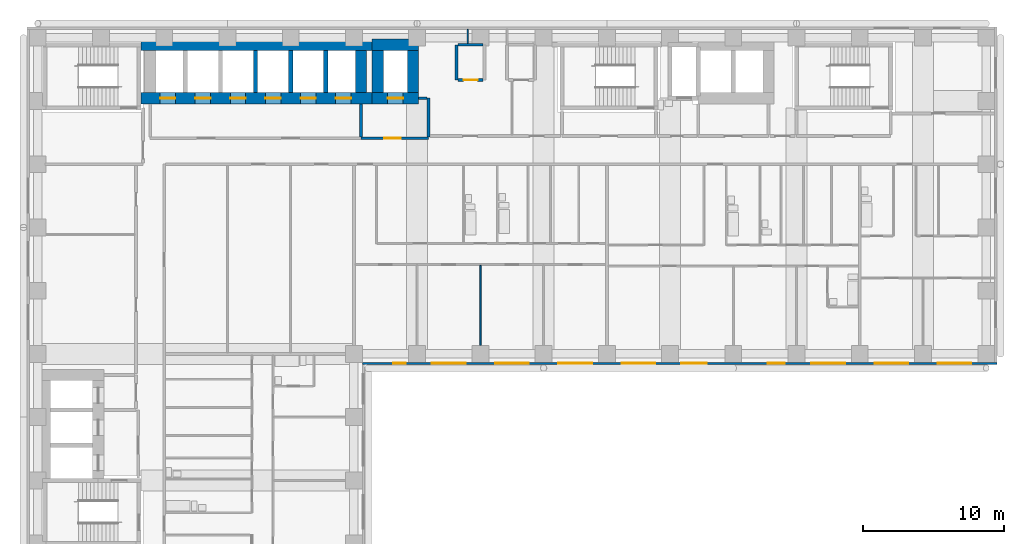
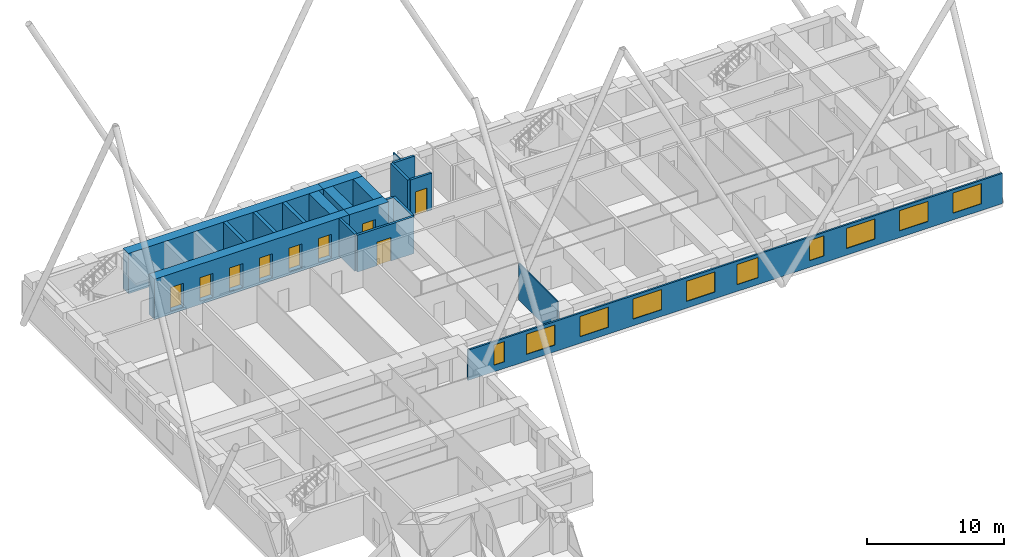
# One storey, part 6 of 12: 20 walls, 10 windows, 9 doors, 19 openings.
"""IFC4 building model written with IfcOpenShell, lengths in metres."""

from ifc_helpers import new_model, si_unit, direction, frame, frame_2d, origin, place, context, subcontext, project, spatial, rectangle, extrude, material, layer, layer_set, type_object, element, fill, save


model = new_model("IFC4")

# Units and contexts
model_context = context("Model", 3, precision=1e-05, world=origin(), true_north=direction((0.0, 1.0)))
body_context = subcontext(model_context, "Body", "Model", "MODEL_VIEW")
ifc_project = project(units=[si_unit("LENGTHUNIT", "METRE"), si_unit("AREAUNIT", "SQUARE_METRE"), si_unit("VOLUMEUNIT", "CUBIC_METRE"), si_unit("PLANEANGLEUNIT", "RADIAN"), si_unit("MASSUNIT", "GRAM", prefix="KILO")], contexts=[model_context])

# Site, building, storey
site_placement = place(None, origin())
site = spatial("IfcSite", under=ifc_project, at=site_placement, CompositionType="ELEMENT")
building_placement = place(site_placement, origin())
building = spatial("IfcBuilding", under=site, at=building_placement, Name="Firuza Court", CompositionType="ELEMENT")
storey_placement = place(building_placement, frame((0.0, 0.0, 93.800048828125)))
storey = spatial("IfcBuildingStorey", under=building, at=storey_placement, Name="L23", CompositionType="ELEMENT", Elevation=93.800048828125)

# Walls
ifc_material_1 = material(Name="Concrete C60/75", Category="concrete")
ifc_layer_1 = layer(ifc_material_1, 0.300048828125)
ifc_layer_set_1 = layer_set([ifc_layer_1], Name="Concrete C60/75")
wall_type_1 = type_object("IfcWallType", Name="Core wall 300 C60/75", PredefinedType="SHEAR", material=ifc_layer_set_1)
for number, where, z_axis, x_axis, name in (
    (1, (15.5, 54.60009765625, -0.300048828125), (0.0, 0.0, 1.0), (0.0, 1.0, 0.0), "Core wall lift shaft L23"),
    (2, (18.0, 54.60009765625, -0.300048828125), (0.0, 0.0, 1.0), (0.0, 1.0, 0.0), "Core wall lift shaft L23"),
    (3, (20.5, 54.60009765625, -0.300048828125), (0.0, 0.0, 1.0), (0.0, 1.0, 0.0), "Core wall lift shaft L23"),
):
    element("IfcWall", number, at=place(storey_placement, frame(where, z_axis=z_axis, x_axis=x_axis)), inside=storey, type_object=wall_type_1, Name=name, PredefinedType="SHEAR", context=body_context, shape_type="SweptSolid", body=[
        extrude(rectangle(XDim=3.0, YDim=0.300048828125, at=frame_2d((1.5, 0.0))), origin(), (0.0, 0.0, 1.0), 3.60009765625),
    ])

# Wall, openings, doors
ifc_layer_2 = layer(ifc_material_1, 0.800048828125)
ifc_layer_set_2 = layer_set([ifc_layer_2], Name="Concrete C60/75")
wall_type_2 = type_object("IfcWallType", Name="Core wall 800 C60/75", PredefinedType="SHEAR", material=ifc_layer_set_2)
wall_1_placement = place(storey_placement, frame((7.35009765625, 54.199951171875, -0.300048828125), z_axis=(0.0, 0.0, 1.0), x_axis=(1.0, 0.0, 0.0)))
wall_1 = element("IfcWall", 4, at=wall_1_placement, inside=storey, type_object=wall_type_2, Name="Core wall lift shaft L23", PredefinedType="SHEAR", context=body_context, shape_type="SweptSolid", body=[
    extrude(rectangle(XDim=16.449951171875, YDim=0.800048828125, at=frame_2d((8.22509765625, 0.0))), origin(), (0.0, 0.0, 1.0), 3.60009765625),
])
opening_1_placement = place(wall_1_placement, frame((1.35009765625, 0.0, 0.300048828125)))
opening_1 = element("IfcOpeningElement", 5, at=opening_1_placement, cuts=wall_1, Name="Opening LD-LB1-23", PredefinedType="OPENING", context=body_context, shape_type="SweptSolid", body=[
    extrude(rectangle(XDim=1.10009765625, YDim=2.10009765625, at=frame_2d((0.550048828125, 1.050048828125))), frame((0.0, 0.412109375, 0.0), z_axis=(0.0, -1.0, 0.0), x_axis=(1.0, 0.0, 0.0)), (0.0, 0.0, 1.0), 0.823974609375),
])
opening_2_placement = place(wall_1_placement, frame((3.85009765625, 0.0, 0.300048828125)))
opening_2 = element("IfcOpeningElement", 6, at=opening_2_placement, cuts=wall_1, Name="Opening LD-LB2-23", PredefinedType="OPENING", context=body_context, shape_type="SweptSolid", body=[
    extrude(rectangle(XDim=1.10009765625, YDim=2.10009765625, at=frame_2d((0.550048828125, 1.050048828125))), frame((0.0, 0.412109375, 0.0), z_axis=(0.0, -1.0, 0.0), x_axis=(1.0, 0.0, 0.0)), (0.0, 0.0, 1.0), 0.823974609375),
])
opening_3_placement = place(wall_1_placement, frame((6.35009765625, 0.0, 0.300048828125)))
opening_3 = element("IfcOpeningElement", 7, at=opening_3_placement, cuts=wall_1, Name="Opening LD-LB3-23", PredefinedType="OPENING", context=body_context, shape_type="SweptSolid", body=[
    extrude(rectangle(XDim=1.10009765625, YDim=2.10009765625, at=frame_2d((0.550048828125, 1.050048828125))), frame((0.0, 0.412109375, 0.0), z_axis=(0.0, -1.0, 0.0), x_axis=(1.0, 0.0, 0.0)), (0.0, 0.0, 1.0), 0.823974609375),
])
opening_4_placement = place(wall_1_placement, frame((8.85009765625, 0.0, 0.300048828125)))
opening_4 = element("IfcOpeningElement", 8, at=opening_4_placement, cuts=wall_1, Name="Opening LD-LB4-23", PredefinedType="OPENING", context=body_context, shape_type="SweptSolid", body=[
    extrude(rectangle(XDim=1.10009765625, YDim=2.10009765625, at=frame_2d((0.550048828125, 1.050048828125))), frame((0.0, 0.412109375, 0.0), z_axis=(0.0, -1.0, 0.0), x_axis=(1.0, 0.0, 0.0)), (0.0, 0.0, 1.0), 0.823974609375),
])
opening_5_placement = place(wall_1_placement, frame((11.35009765625, 0.0, 0.300048828125)))
opening_5 = element("IfcOpeningElement", 9, at=opening_5_placement, cuts=wall_1, Name="Opening LD-LB5-23", PredefinedType="OPENING", context=body_context, shape_type="SweptSolid", body=[
    extrude(rectangle(XDim=1.10009765625, YDim=2.10009765625, at=frame_2d((0.550048828125, 1.050048828125))), frame((0.0, 0.412109375, 0.0), z_axis=(0.0, -1.0, 0.0), x_axis=(1.0, 0.0, 0.0)), (0.0, 0.0, 1.0), 0.823974609375),
])
opening_6_placement = place(wall_1_placement, frame((13.85009765625, 0.0, 0.300048828125)))
opening_6 = element("IfcOpeningElement", 10, at=opening_6_placement, cuts=wall_1, Name="Opening LD-LB6-23", PredefinedType="OPENING", context=body_context, shape_type="SweptSolid", body=[
    extrude(rectangle(XDim=1.10009765625, YDim=2.10009765625, at=frame_2d((0.550048828125, 1.050048828125))), frame((0.0, 0.412109375, 0.0), z_axis=(0.0, -1.0, 0.0), x_axis=(1.0, 0.0, 0.0)), (0.0, 0.0, 1.0), 0.823974609375),
])
ifc_material_2 = material(Name="Stainless steel 1.4301 door leaf", Category="steel")
door_type_1 = type_object("IfcDoorType", Name="Lift landing door 1100", OperationType="SLIDING_TO_LEFT", PredefinedType="DOOR", material=ifc_material_2)
door_1_placement = place(opening_1_placement, origin())
door_1 = element("IfcDoor", 11, at=door_1_placement, inside=storey, type_object=door_type_1, Name="Landing door LB1", OperationType="SLIDING_TO_LEFT", OverallHeight=2.10009765625, OverallWidth=1.10009765625, PredefinedType="DOOR", context=body_context, shape_type="SweptSolid", body=[
    extrude(rectangle(XDim=1.10009765625, YDim=2.10009765625, at=frame_2d((0.550048828125, 1.050048828125))), frame((0.0, 0.02490234375, 0.0), z_axis=(0.0, -1.0, 0.0), x_axis=(1.0, 0.0, 0.0)), (0.0, 0.0, 1.0), 0.050048828125),
])
fill(opening_1, door_1)
door_2_placement = place(opening_2_placement, origin())
door_2 = element("IfcDoor", 12, at=door_2_placement, inside=storey, type_object=door_type_1, Name="Landing door LB2", OperationType="SLIDING_TO_LEFT", OverallHeight=2.10009765625, OverallWidth=1.10009765625, PredefinedType="DOOR", context=body_context, shape_type="SweptSolid", body=[
    extrude(rectangle(XDim=1.10009765625, YDim=2.10009765625, at=frame_2d((0.550048828125, 1.050048828125))), frame((0.0, 0.02490234375, 0.0), z_axis=(0.0, -1.0, 0.0), x_axis=(1.0, 0.0, 0.0)), (0.0, 0.0, 1.0), 0.050048828125),
])
fill(opening_2, door_2)
door_3_placement = place(opening_3_placement, origin())
door_3 = element("IfcDoor", 13, at=door_3_placement, inside=storey, type_object=door_type_1, Name="Landing door LB3", OperationType="SLIDING_TO_LEFT", OverallHeight=2.10009765625, OverallWidth=1.10009765625, PredefinedType="DOOR", context=body_context, shape_type="SweptSolid", body=[
    extrude(rectangle(XDim=1.10009765625, YDim=2.10009765625, at=frame_2d((0.550048828125, 1.050048828125))), frame((0.0, 0.02490234375, 0.0), z_axis=(0.0, -1.0, 0.0), x_axis=(1.0, 0.0, 0.0)), (0.0, 0.0, 1.0), 0.050048828125),
])
fill(opening_3, door_3)
door_4_placement = place(opening_4_placement, origin())
door_4 = element("IfcDoor", 14, at=door_4_placement, inside=storey, type_object=door_type_1, Name="Landing door LB4", OperationType="SLIDING_TO_LEFT", OverallHeight=2.10009765625, OverallWidth=1.10009765625, PredefinedType="DOOR", context=body_context, shape_type="SweptSolid", body=[
    extrude(rectangle(XDim=1.10009765625, YDim=2.10009765625, at=frame_2d((0.550048828125, 1.050048828125))), frame((0.0, 0.02490234375, 0.0), z_axis=(0.0, -1.0, 0.0), x_axis=(1.0, 0.0, 0.0)), (0.0, 0.0, 1.0), 0.050048828125),
])
fill(opening_4, door_4)
door_5_placement = place(opening_5_placement, origin())
door_5 = element("IfcDoor", 15, at=door_5_placement, inside=storey, type_object=door_type_1, Name="Landing door LB5", OperationType="SLIDING_TO_LEFT", OverallHeight=2.10009765625, OverallWidth=1.10009765625, PredefinedType="DOOR", context=body_context, shape_type="SweptSolid", body=[
    extrude(rectangle(XDim=1.10009765625, YDim=2.10009765625, at=frame_2d((0.550048828125, 1.050048828125))), frame((0.0, 0.02490234375, 0.0), z_axis=(0.0, -1.0, 0.0), x_axis=(1.0, 0.0, 0.0)), (0.0, 0.0, 1.0), 0.050048828125),
])
fill(opening_5, door_5)
door_6_placement = place(opening_6_placement, origin())
door_6 = element("IfcDoor", 16, at=door_6_placement, inside=storey, type_object=door_type_1, Name="Landing door LB6", OperationType="SLIDING_TO_LEFT", OverallHeight=2.10009765625, OverallWidth=1.10009765625, PredefinedType="DOOR", context=body_context, shape_type="SweptSolid", body=[
    extrude(rectangle(XDim=1.10009765625, YDim=2.10009765625, at=frame_2d((0.550048828125, 1.050048828125))), frame((0.0, 0.02490234375, 0.0), z_axis=(0.0, -1.0, 0.0), x_axis=(1.0, 0.0, 0.0)), (0.0, 0.0, 1.0), 0.050048828125),
])
fill(opening_6, door_6)

# Walls
wall_2_placement = place(storey_placement, frame((7.35009765625, 58.0, -0.300048828125), z_axis=(0.0, 0.0, 1.0), x_axis=(1.0, 0.0, 0.0)))
element("IfcWall", 17, at=wall_2_placement, inside=storey, type_object=wall_type_2, Name="Core wall lift shaft L23", PredefinedType="SHEAR", context=body_context, shape_type="SweptSolid", body=[
    extrude(rectangle(XDim=16.449951171875, YDim=0.800048828125, at=frame_2d((8.22509765625, 0.0))), origin(), (0.0, 0.0, 1.0), 3.60009765625),
])
wall_3_placement = place(storey_placement, frame((23.0, 54.60009765625, -0.300048828125), z_axis=(0.0, 0.0, 1.0), x_axis=(0.0, 1.0, 0.0)))
element("IfcWall", 18, at=wall_3_placement, inside=storey, type_object=wall_type_2, Name="Core wall lift shaft L23", PredefinedType="SHEAR", context=body_context, shape_type="SweptSolid", body=[
    extrude(rectangle(XDim=3.0, YDim=0.800048828125, at=frame_2d((1.5, 0.0))), origin(), (0.0, 0.0, 1.0), 3.60009765625),
])

# Wall, opening, door
wall_4_placement = place(storey_placement, frame((23.800048828125, 54.199951171875, -0.300048828125), z_axis=(0.0, 0.0, 1.0), x_axis=(1.0, 0.0, 0.0)))
wall_4 = element("IfcWall", 19, at=wall_4_placement, inside=storey, type_object=wall_type_2, Name="Core wall lift shaft L23", PredefinedType="SHEAR", context=body_context, shape_type="SweptSolid", body=[
    extrude(rectangle(XDim=3.300048828125, YDim=0.800048828125, at=frame_2d((1.64990234375, 0.0))), origin(), (0.0, 0.0, 1.0), 3.60009765625),
])
opening_7_placement = place(wall_4_placement, frame((1.10009765625, 0.0, 0.300048828125)))
opening_7 = element("IfcOpeningElement", 20, at=opening_7_placement, cuts=wall_4, Name="Opening LD-FL3-23", PredefinedType="OPENING", context=body_context, shape_type="SweptSolid", body=[
    extrude(rectangle(XDim=1.10009765625, YDim=2.10009765625, at=frame_2d((0.550048828125, 1.050048828125))), frame((0.0, 0.412109375, 0.0), z_axis=(0.0, -1.0, 0.0), x_axis=(1.0, 0.0, 0.0)), (0.0, 0.0, 1.0), 0.823974609375),
])
door_7_placement = place(opening_7_placement, origin())
door_7 = element("IfcDoor", 21, at=door_7_placement, inside=storey, type_object=door_type_1, Name="Landing door FL3", OperationType="SLIDING_TO_LEFT", OverallHeight=2.10009765625, OverallWidth=1.10009765625, PredefinedType="DOOR", context=body_context, shape_type="SweptSolid", body=[
    extrude(rectangle(XDim=1.10009765625, YDim=2.10009765625, at=frame_2d((0.550048828125, 1.050048828125))), frame((0.0, 0.02490234375, 0.0), z_axis=(0.0, -1.0, 0.0), x_axis=(1.0, 0.0, 0.0)), (0.0, 0.0, 1.0), 0.050048828125),
])
fill(opening_7, door_7)

# Walls
wall_5_placement = place(storey_placement, frame((23.800048828125, 58.0, -0.300048828125), z_axis=(0.0, 0.0, 1.0), x_axis=(1.0, 0.0, 0.0)))
element("IfcWall", 22, at=wall_5_placement, inside=storey, type_object=wall_type_2, Name="Core wall lift shaft L23", PredefinedType="SHEAR", context=body_context, shape_type="SweptSolid", body=[
    extrude(rectangle(XDim=3.300048828125, YDim=0.800048828125, at=frame_2d((1.64990234375, 0.0))), origin(), (0.0, 0.0, 1.0), 3.60009765625),
])
for number, where, z_axis, x_axis, name in (
    (23, (24.199951171875, 54.60009765625, -0.300048828125), (0.0, 0.0, 1.0), (0.0, 1.0, 0.0), "Core wall lift shaft L23"),
    (24, (26.699951171875, 54.60009765625, -0.300048828125), (0.0, 0.0, 1.0), (0.0, 1.0, 0.0), "Core wall lift shaft L23"),
):
    element("IfcWall", number, at=place(storey_placement, frame(where, z_axis=z_axis, x_axis=x_axis)), inside=storey, type_object=wall_type_2, Name=name, PredefinedType="SHEAR", context=body_context, shape_type="SweptSolid", body=[
        extrude(rectangle(XDim=3.0, YDim=0.800048828125, at=frame_2d((1.5, 0.0))), origin(), (0.0, 0.0, 1.0), 3.60009765625),
    ])
ifc_material_3 = material(Name="Timber stud partition, plasterboard both sides", Category="wood")
ifc_layer_3 = layer(ifc_material_3, 0.10009765625)
ifc_layer_set_3 = layer_set([ifc_layer_3], Name="Timber stud partition, plasterboard both sides")
wall_type_3 = type_object("IfcWallType", Name="Partition wall 100", PredefinedType="PARTITIONING", material=ifc_layer_set_3)
wall_6_placement = place(storey_placement, frame((31.5, 36.60009765625, 0.0), z_axis=(0.0, 0.0, 1.0), x_axis=(0.0, 1.0, 0.0)))
element("IfcWall", 25, at=wall_6_placement, inside=storey, type_object=wall_type_3, Name="Partition wall 100 L23", PredefinedType="PARTITIONING", context=body_context, shape_type="SweptSolid", body=[
    extrude(rectangle(XDim=5.699951171875, YDim=0.10009765625, at=frame_2d((2.85009765625, 0.0))), origin(), (0.0, 0.0, 1.0), 3.300048828125),
])
wall_7_placement = place(storey_placement, frame((30.60009765625, 58.10009765625, 0.0), z_axis=(0.0, 0.0, 1.0), x_axis=(0.0, 1.0, 0.0)))
element("IfcWall", 26, at=wall_7_placement, inside=storey, type_object=wall_type_3, Name="Partition wall 100 L23", PredefinedType="PARTITIONING", context=body_context, shape_type="SweptSolid", body=[
    extrude(rectangle(XDim=1.0, YDim=0.10009765625, at=frame_2d((0.5, 0.0))), origin(), (0.0, 0.0, 1.0), 3.300048828125),
])
ifc_material_4 = material(Name="Blockwork, fire-rated", Category="masonry")
ifc_layer_4 = layer(ifc_material_4, 0.199951171875)
ifc_layer_set_4 = layer_set([ifc_layer_4], Name="Blockwork, fire-rated")
wall_type_4 = type_object("IfcWallType", Name="Plant room wall 200", PredefinedType="PARTITIONING", material=ifc_layer_set_4)
wall_8_placement = place(storey_placement, frame((29.800048828125, 55.5, 0.0), z_axis=(0.0, 0.0, 1.0), x_axis=(0.0, 1.0, 0.0)))
element("IfcWall", 27, at=wall_8_placement, inside=storey, type_object=wall_type_4, Name="Plant room wall 200 L23", PredefinedType="PARTITIONING", context=body_context, shape_type="SweptSolid", body=[
    extrude(rectangle(XDim=2.5, YDim=0.199951171875, at=frame_2d((1.25, 0.0))), origin(), (0.0, 0.0, 1.0), 3.300048828125),
])

# Wall, opening, door
wall_9_placement = place(storey_placement, frame((29.89990234375, 55.5, 0.0), z_axis=(0.0, 0.0, 1.0), x_axis=(1.0, 0.0, 0.0)))
wall_9 = element("IfcWall", 28, at=wall_9_placement, inside=storey, type_object=wall_type_4, Name="Plant room wall 200 L23", PredefinedType="PARTITIONING", context=body_context, shape_type="SweptSolid", body=[
    extrude(rectangle(XDim=1.800048828125, YDim=0.199951171875, at=frame_2d((0.89990234375, 0.0))), origin(), (0.0, 0.0, 1.0), 3.300048828125),
])
opening_8_placement = place(wall_9_placement, frame((0.39990234375, 0.0, 0.0)))
opening_8 = element("IfcOpeningElement", 29, at=opening_8_placement, cuts=wall_9, Name="Opening D23076", PredefinedType="OPENING", context=body_context, shape_type="SweptSolid", body=[
    extrude(rectangle(XDim=1.0, YDim=2.10009765625, at=frame_2d((0.5, 1.050048828125))), frame((0.0, 0.11181640625, 0.0), z_axis=(0.0, -1.0, 0.0), x_axis=(1.0, 0.0, 0.0)), (0.0, 0.0, 1.0), 0.223876953125),
])
ifc_material_5 = material(Name="Timber door leaf in hardwood frame", Category="wood")
door_type_2 = type_object("IfcDoorType", Name="Riser door 1000", OperationType="SINGLE_SWING_LEFT", PredefinedType="DOOR", material=ifc_material_5)
door_8_placement = place(opening_8_placement, origin())
door_8 = element("IfcDoor", 30, at=door_8_placement, inside=storey, type_object=door_type_2, Name="Electrical riser door", OperationType="SINGLE_SWING_LEFT", OverallHeight=2.10009765625, OverallWidth=1.0, PredefinedType="DOOR", context=body_context, shape_type="SweptSolid", body=[
    extrude(rectangle(XDim=1.0, YDim=2.10009765625, at=frame_2d((0.5, 1.050048828125))), frame((0.0, 0.02490234375, 0.0), z_axis=(0.0, -1.0, 0.0), x_axis=(1.0, 0.0, 0.0)), (0.0, 0.0, 1.0), 0.050048828125),
])
fill(opening_8, door_8)

# Wall
wall_10_placement = place(storey_placement, frame((29.89990234375, 58.0, 0.0), z_axis=(0.0, 0.0, 1.0), x_axis=(1.0, 0.0, 0.0)))
element("IfcWall", 31, at=wall_10_placement, inside=storey, type_object=wall_type_4, Name="Plant room wall 200 L23", PredefinedType="PARTITIONING", context=body_context, shape_type="SweptSolid", body=[
    extrude(rectangle(XDim=1.800048828125, YDim=0.199951171875, at=frame_2d((0.89990234375, 0.0))), origin(), (0.0, 0.0, 1.0), 3.300048828125),
])

# Wall, openings, windows
ifc_material_6 = material(Name="Ceramic tile", Category="ceramic")
ifc_layer_5 = layer(ifc_material_6, 0.02001953125)
ifc_material_7 = material(Name="Mineral wool insulation", Category="insulation")
ifc_layer_6 = layer(ifc_material_7, 0.050048828125)
ifc_material_8 = material(Name="Concrete C40/50 precast", Category="concrete")
ifc_layer_7 = layer(ifc_material_8, 0.080078125)
ifc_layer_set_5 = layer_set([ifc_layer_5, ifc_layer_6, ifc_layer_7], Name="Concrete C40/50 precast")
wall_type_5 = type_object("IfcWallType", Name="Precast cladding wall with turquoise TILE PANEL face 150", PredefinedType="STANDARD", material=ifc_layer_set_5)
wall_11_placement = place(storey_placement, frame((23.10009765625, 35.324951171875, 0.0), z_axis=(0.0, 0.0, 1.0), x_axis=(1.0, 0.0, 0.0)))
wall_11 = element("IfcWall", 32, at=wall_11_placement, inside=storey, type_object=wall_type_5, Name="Facade wall L23 S", PredefinedType="STANDARD", context=body_context, shape_type="SweptSolid", body=[
    extrude(rectangle(XDim=45.14990234375, YDim=0.14990234375, at=frame_2d((22.574951171875, 0.0))), origin(), (0.0, 0.0, 1.0), 2.699951171875),
])
opening_9_placement = place(wall_11_placement, frame((2.184814453125, 0.0, 0.60009765625)))
opening_9 = element("IfcOpeningElement", 33, at=opening_9_placement, cuts=wall_11, Name="Opening W3", PredefinedType="OPENING", context=body_context, shape_type="SweptSolid", body=[
    extrude(rectangle(XDim=0.89990234375, YDim=1.800048828125, at=frame_2d((0.449951171875, 0.89990234375))), frame((0.0, 0.0869140625, 0.0), z_axis=(0.0, -1.0, 0.0), x_axis=(1.0, 0.0, 0.0)), (0.0, 0.0, 1.0), 0.173828125),
])
opening_10_placement = place(wall_11_placement, frame((4.949951171875, 0.0, 0.60009765625)))
opening_10 = element("IfcOpeningElement", 34, at=opening_10_placement, cuts=wall_11, Name="Opening W1", PredefinedType="OPENING", context=body_context, shape_type="SweptSolid", body=[
    extrude(rectangle(XDim=2.39990234375, YDim=1.800048828125, at=frame_2d((1.199951171875, 0.89990234375))), frame((0.0, 0.0869140625, 0.0), z_axis=(0.0, -1.0, 0.0), x_axis=(1.0, 0.0, 0.0)), (0.0, 0.0, 1.0), 0.173828125),
])
opening_11_placement = place(wall_11_placement, frame((9.449951171875, 0.0, 0.60009765625)))
opening_11 = element("IfcOpeningElement", 35, at=opening_11_placement, cuts=wall_11, Name="Opening W1", PredefinedType="OPENING", context=body_context, shape_type="SweptSolid", body=[
    extrude(rectangle(XDim=2.39990234375, YDim=1.800048828125, at=frame_2d((1.199951171875, 0.89990234375))), frame((0.0, 0.0869140625, 0.0), z_axis=(0.0, -1.0, 0.0), x_axis=(1.0, 0.0, 0.0)), (0.0, 0.0, 1.0), 0.173828125),
])
opening_12_placement = place(wall_11_placement, frame((13.949951171875, 0.0, 0.60009765625)))
opening_12 = element("IfcOpeningElement", 36, at=opening_12_placement, cuts=wall_11, Name="Opening W1", PredefinedType="OPENING", context=body_context, shape_type="SweptSolid", body=[
    extrude(rectangle(XDim=2.39990234375, YDim=1.800048828125, at=frame_2d((1.199951171875, 0.89990234375))), frame((0.0, 0.0869140625, 0.0), z_axis=(0.0, -1.0, 0.0), x_axis=(1.0, 0.0, 0.0)), (0.0, 0.0, 1.0), 0.173828125),
])
opening_13_placement = place(wall_11_placement, frame((18.449951171875, 0.0, 0.60009765625)))
opening_13 = element("IfcOpeningElement", 37, at=opening_13_placement, cuts=wall_11, Name="Opening W1", PredefinedType="OPENING", context=body_context, shape_type="SweptSolid", body=[
    extrude(rectangle(XDim=2.39990234375, YDim=1.800048828125, at=frame_2d((1.199951171875, 0.89990234375))), frame((0.0, 0.0869140625, 0.0), z_axis=(0.0, -1.0, 0.0), x_axis=(1.0, 0.0, 0.0)), (0.0, 0.0, 1.0), 0.173828125),
])
opening_14_placement = place(wall_11_placement, frame((22.7099609375, 0.0, 0.60009765625)))
opening_14 = element("IfcOpeningElement", 38, at=opening_14_placement, cuts=wall_11, Name="Opening W7", PredefinedType="OPENING", context=body_context, shape_type="SweptSolid", body=[
    extrude(rectangle(XDim=1.800048828125, YDim=1.800048828125, at=frame_2d((0.89990234375, 0.89990234375))), frame((0.0, 0.0869140625, 0.0), z_axis=(0.0, -1.0, 0.0), x_axis=(1.0, 0.0, 0.0)), (0.0, 0.0, 1.0), 0.173828125),
])
opening_15_placement = place(wall_11_placement, frame((28.85888671875, 0.0, 0.60009765625)))
opening_15 = element("IfcOpeningElement", 39, at=opening_15_placement, cuts=wall_11, Name="Opening W8", PredefinedType="OPENING", context=body_context, shape_type="SweptSolid", body=[
    extrude(rectangle(XDim=1.199951171875, YDim=1.800048828125, at=frame_2d((0.60009765625, 0.89990234375))), frame((0.0, 0.0869140625, 0.0), z_axis=(0.0, -1.0, 0.0), x_axis=(1.0, 0.0, 0.0)), (0.0, 0.0, 1.0), 0.173828125),
])
opening_16_placement = place(wall_11_placement, frame((31.949951171875, 0.0, 0.60009765625)))
opening_16 = element("IfcOpeningElement", 40, at=opening_16_placement, cuts=wall_11, Name="Opening W1", PredefinedType="OPENING", context=body_context, shape_type="SweptSolid", body=[
    extrude(rectangle(XDim=2.39990234375, YDim=1.800048828125, at=frame_2d((1.199951171875, 0.89990234375))), frame((0.0, 0.0869140625, 0.0), z_axis=(0.0, -1.0, 0.0), x_axis=(1.0, 0.0, 0.0)), (0.0, 0.0, 1.0), 0.173828125),
])
opening_17_placement = place(wall_11_placement, frame((36.449951171875, 0.0, 0.60009765625)))
opening_17 = element("IfcOpeningElement", 41, at=opening_17_placement, cuts=wall_11, Name="Opening W1", PredefinedType="OPENING", context=body_context, shape_type="SweptSolid", body=[
    extrude(rectangle(XDim=2.39990234375, YDim=1.800048828125, at=frame_2d((1.199951171875, 0.89990234375))), frame((0.0, 0.0869140625, 0.0), z_axis=(0.0, -1.0, 0.0), x_axis=(1.0, 0.0, 0.0)), (0.0, 0.0, 1.0), 0.173828125),
])
opening_18_placement = place(wall_11_placement, frame((40.949951171875, 0.0, 0.60009765625)))
opening_18 = element("IfcOpeningElement", 42, at=opening_18_placement, cuts=wall_11, Name="Opening W1", PredefinedType="OPENING", context=body_context, shape_type="SweptSolid", body=[
    extrude(rectangle(XDim=2.39990234375, YDim=1.800048828125, at=frame_2d((1.199951171875, 0.89990234375))), frame((0.0, 0.0869140625, 0.0), z_axis=(0.0, -1.0, 0.0), x_axis=(1.0, 0.0, 0.0)), (0.0, 0.0, 1.0), 0.173828125),
])
ifc_material_9 = material(Name="Aluminium frame, triple clear glazing", Category="aluminium")
window_type_1 = type_object("IfcWindowType", Name="Window W1 2400 x 1800", PartitioningType="SINGLE_PANEL", PredefinedType="WINDOW", material=ifc_material_9)
window_1_placement = place(opening_10_placement, origin())
window_1 = element("IfcWindow", 43, at=window_1_placement, inside=storey, type_object=window_type_1, Name="Window L23", OverallHeight=1.800048828125, OverallWidth=2.39990234375, PartitioningType="SINGLE_PANEL", PredefinedType="WINDOW", context=body_context, shape_type="SweptSolid", body=[
    extrude(rectangle(XDim=2.39990234375, YDim=1.800048828125, at=frame_2d((1.199951171875, 0.89990234375))), frame((0.0, 0.030029296875, 0.0), z_axis=(0.0, -1.0, 0.0), x_axis=(1.0, 0.0, 0.0)), (0.0, 0.0, 1.0), 0.06005859375),
])
fill(opening_10, window_1)
window_2_placement = place(opening_11_placement, origin())
window_2 = element("IfcWindow", 44, at=window_2_placement, inside=storey, type_object=window_type_1, Name="Window L23", OverallHeight=1.800048828125, OverallWidth=2.39990234375, PartitioningType="SINGLE_PANEL", PredefinedType="WINDOW", context=body_context, shape_type="SweptSolid", body=[
    extrude(rectangle(XDim=2.39990234375, YDim=1.800048828125, at=frame_2d((1.199951171875, 0.89990234375))), frame((0.0, 0.030029296875, 0.0), z_axis=(0.0, -1.0, 0.0), x_axis=(1.0, 0.0, 0.0)), (0.0, 0.0, 1.0), 0.06005859375),
])
fill(opening_11, window_2)
window_3_placement = place(opening_12_placement, origin())
window_3 = element("IfcWindow", 45, at=window_3_placement, inside=storey, type_object=window_type_1, Name="Window L23", OverallHeight=1.800048828125, OverallWidth=2.39990234375, PartitioningType="SINGLE_PANEL", PredefinedType="WINDOW", context=body_context, shape_type="SweptSolid", body=[
    extrude(rectangle(XDim=2.39990234375, YDim=1.800048828125, at=frame_2d((1.199951171875, 0.89990234375))), frame((0.0, 0.030029296875, 0.0), z_axis=(0.0, -1.0, 0.0), x_axis=(1.0, 0.0, 0.0)), (0.0, 0.0, 1.0), 0.06005859375),
])
fill(opening_12, window_3)
window_4_placement = place(opening_13_placement, origin())
window_4 = element("IfcWindow", 46, at=window_4_placement, inside=storey, type_object=window_type_1, Name="Window L23", OverallHeight=1.800048828125, OverallWidth=2.39990234375, PartitioningType="SINGLE_PANEL", PredefinedType="WINDOW", context=body_context, shape_type="SweptSolid", body=[
    extrude(rectangle(XDim=2.39990234375, YDim=1.800048828125, at=frame_2d((1.199951171875, 0.89990234375))), frame((0.0, 0.030029296875, 0.0), z_axis=(0.0, -1.0, 0.0), x_axis=(1.0, 0.0, 0.0)), (0.0, 0.0, 1.0), 0.06005859375),
])
fill(opening_13, window_4)
window_5_placement = place(opening_16_placement, origin())
window_5 = element("IfcWindow", 47, at=window_5_placement, inside=storey, type_object=window_type_1, Name="Window L23", OverallHeight=1.800048828125, OverallWidth=2.39990234375, PartitioningType="SINGLE_PANEL", PredefinedType="WINDOW", context=body_context, shape_type="SweptSolid", body=[
    extrude(rectangle(XDim=2.39990234375, YDim=1.800048828125, at=frame_2d((1.199951171875, 0.89990234375))), frame((0.0, 0.030029296875, 0.0), z_axis=(0.0, -1.0, 0.0), x_axis=(1.0, 0.0, 0.0)), (0.0, 0.0, 1.0), 0.06005859375),
])
fill(opening_16, window_5)
window_6_placement = place(opening_17_placement, origin())
window_6 = element("IfcWindow", 48, at=window_6_placement, inside=storey, type_object=window_type_1, Name="Window L23", OverallHeight=1.800048828125, OverallWidth=2.39990234375, PartitioningType="SINGLE_PANEL", PredefinedType="WINDOW", context=body_context, shape_type="SweptSolid", body=[
    extrude(rectangle(XDim=2.39990234375, YDim=1.800048828125, at=frame_2d((1.199951171875, 0.89990234375))), frame((0.0, 0.030029296875, 0.0), z_axis=(0.0, -1.0, 0.0), x_axis=(1.0, 0.0, 0.0)), (0.0, 0.0, 1.0), 0.06005859375),
])
fill(opening_17, window_6)
window_7_placement = place(opening_18_placement, origin())
window_7 = element("IfcWindow", 49, at=window_7_placement, inside=storey, type_object=window_type_1, Name="Window L23", OverallHeight=1.800048828125, OverallWidth=2.39990234375, PartitioningType="SINGLE_PANEL", PredefinedType="WINDOW", context=body_context, shape_type="SweptSolid", body=[
    extrude(rectangle(XDim=2.39990234375, YDim=1.800048828125, at=frame_2d((1.199951171875, 0.89990234375))), frame((0.0, 0.030029296875, 0.0), z_axis=(0.0, -1.0, 0.0), x_axis=(1.0, 0.0, 0.0)), (0.0, 0.0, 1.0), 0.06005859375),
])
fill(opening_18, window_7)
ifc_material_10 = material(Name="Aluminium frame, triple clear glazing", Category="aluminium")
window_type_2 = type_object("IfcWindowType", Name="Window W3 900 x 1800", PartitioningType="SINGLE_PANEL", PredefinedType="WINDOW", material=ifc_material_10)
window_8_placement = place(opening_9_placement, origin())
window_8 = element("IfcWindow", 50, at=window_8_placement, inside=storey, type_object=window_type_2, Name="Window L23", OverallHeight=1.800048828125, OverallWidth=0.89990234375, PartitioningType="SINGLE_PANEL", PredefinedType="WINDOW", context=body_context, shape_type="SweptSolid", body=[
    extrude(rectangle(XDim=0.89990234375, YDim=1.800048828125, at=frame_2d((0.449951171875, 0.89990234375))), frame((0.0, 0.030029296875, 0.0), z_axis=(0.0, -1.0, 0.0), x_axis=(1.0, 0.0, 0.0)), (0.0, 0.0, 1.0), 0.06005859375),
])
fill(opening_9, window_8)
ifc_material_11 = material(Name="Aluminium frame, triple clear glazing", Category="aluminium")
window_type_3 = type_object("IfcWindowType", Name="Window W7 1800 x 1800", PartitioningType="SINGLE_PANEL", PredefinedType="WINDOW", material=ifc_material_11)
window_9_placement = place(opening_14_placement, origin())
window_9 = element("IfcWindow", 51, at=window_9_placement, inside=storey, type_object=window_type_3, Name="Window L23", OverallHeight=1.800048828125, OverallWidth=1.800048828125, PartitioningType="SINGLE_PANEL", PredefinedType="WINDOW", context=body_context, shape_type="SweptSolid", body=[
    extrude(rectangle(XDim=1.800048828125, YDim=1.800048828125, at=frame_2d((0.89990234375, 0.89990234375))), frame((0.0, 0.030029296875, 0.0), z_axis=(0.0, -1.0, 0.0), x_axis=(1.0, 0.0, 0.0)), (0.0, 0.0, 1.0), 0.06005859375),
])
fill(opening_14, window_9)
ifc_material_12 = material(Name="Aluminium frame, triple clear glazing", Category="aluminium")
window_type_4 = type_object("IfcWindowType", Name="Window W8 1200 x 1800", PartitioningType="SINGLE_PANEL", PredefinedType="WINDOW", material=ifc_material_12)
window_10_placement = place(opening_15_placement, origin())
window_10 = element("IfcWindow", 52, at=window_10_placement, inside=storey, type_object=window_type_4, Name="Window L23", OverallHeight=1.800048828125, OverallWidth=1.199951171875, PartitioningType="SINGLE_PANEL", PredefinedType="WINDOW", context=body_context, shape_type="SweptSolid", body=[
    extrude(rectangle(XDim=1.199951171875, YDim=1.800048828125, at=frame_2d((0.60009765625, 0.89990234375))), frame((0.0, 0.030029296875, 0.0), z_axis=(0.0, -1.0, 0.0), x_axis=(1.0, 0.0, 0.0)), (0.0, 0.0, 1.0), 0.06005859375),
])
fill(opening_15, window_10)

# Wall
ifc_layer_8 = layer(ifc_material_4, 0.199951171875)
ifc_layer_set_6 = layer_set([ifc_layer_8], Name="Blockwork, fire-rated")
wall_type_6 = type_object("IfcWallType", Name="Shaft wall 200", PredefinedType="PARTITIONING", material=ifc_layer_set_6)
wall_12_placement = place(storey_placement, frame((23.0, 51.449951171875, 0.0), z_axis=(0.0, 0.0, 1.0), x_axis=(0.0, 1.0, 0.0)))
element("IfcWall", 53, at=wall_12_placement, inside=storey, type_object=wall_type_6, Name="Shaft wall 200 L23", PredefinedType="PARTITIONING", context=body_context, shape_type="SweptSolid", body=[
    extrude(rectangle(XDim=2.330078125, YDim=0.199951171875, at=frame_2d((1.1650390625, 0.0))), origin(), (0.0, 0.0, 1.0), 3.300048828125),
])

# Wall, opening, door
wall_13_placement = place(storey_placement, frame((23.0, 51.35009765625, 0.0), z_axis=(0.0, 0.0, 1.0), x_axis=(1.0, 0.0, 0.0)))
wall_13 = element("IfcWall", 54, at=wall_13_placement, inside=storey, type_object=wall_type_6, Name="Shaft wall 200 L23", PredefinedType="PARTITIONING", context=body_context, shape_type="SweptSolid", body=[
    extrude(rectangle(XDim=4.800048828125, YDim=0.199951171875, at=frame_2d((2.39990234375, 0.0))), origin(), (0.0, 0.0, 1.0), 3.300048828125),
])
opening_19_placement = place(wall_13_placement, frame((1.64990234375, 0.0, 0.0)))
opening_19 = element("IfcOpeningElement", 55, at=opening_19_placement, cuts=wall_13, Name="Opening D23003", PredefinedType="OPENING", context=body_context, shape_type="SweptSolid", body=[
    extrude(rectangle(XDim=1.199951171875, YDim=2.10009765625, at=frame_2d((0.60009765625, 1.050048828125))), frame((0.0, 0.11181640625, 0.0), z_axis=(0.0, -1.0, 0.0), x_axis=(1.0, 0.0, 0.0)), (0.0, 0.0, 1.0), 0.223876953125),
])
ifc_material_13 = material(Name="Timber door leaf in hardwood frame", Category="wood")
door_type_3 = type_object("IfcDoorType", Name="Lobby door 1200", OperationType="SINGLE_SWING_LEFT", PredefinedType="DOOR", material=ifc_material_13)
door_9_placement = place(opening_19_placement, origin())
door_9 = element("IfcDoor", 56, at=door_9_placement, inside=storey, type_object=door_type_3, Name="Fire-fighting lobby door", OperationType="SINGLE_SWING_LEFT", OverallHeight=2.10009765625, OverallWidth=1.199951171875, PredefinedType="DOOR", context=body_context, shape_type="SweptSolid", body=[
    extrude(rectangle(XDim=1.199951171875, YDim=2.10009765625, at=frame_2d((0.60009765625, 1.050048828125))), frame((0.0, 0.02490234375, 0.0), z_axis=(0.0, -1.0, 0.0), x_axis=(1.0, 0.0, 0.0)), (0.0, 0.0, 1.0), 0.050048828125),
])
fill(opening_19, door_9)

# Walls
wall_14_placement = place(storey_placement, frame((27.800048828125, 51.449951171875, 0.0), z_axis=(0.0, 0.0, 1.0), x_axis=(0.0, 1.0, 0.0)))
element("IfcWall", 57, at=wall_14_placement, inside=storey, type_object=wall_type_6, Name="Shaft wall 200 L23", PredefinedType="PARTITIONING", context=body_context, shape_type="SweptSolid", body=[
    extrude(rectangle(XDim=2.75, YDim=0.199951171875, at=frame_2d((1.375, 0.0))), origin(), (0.0, 0.0, 1.0), 3.300048828125),
])
wall_15_placement = place(storey_placement, frame((27.10009765625, 54.199951171875, 0.0), z_axis=(0.0, 0.0, 1.0), x_axis=(1.0, 0.0, 0.0)))
element("IfcWall", 58, at=wall_15_placement, inside=storey, type_object=wall_type_6, Name="Shaft wall 200 L23", PredefinedType="PARTITIONING", context=body_context, shape_type="SweptSolid", body=[
    extrude(rectangle(XDim=0.599853515625, YDim=0.199951171875, at=frame_2d((0.2998046875, 0.0))), origin(), (0.0, 0.0, 1.0), 3.300048828125),
])

save(model, "model.ifc")
